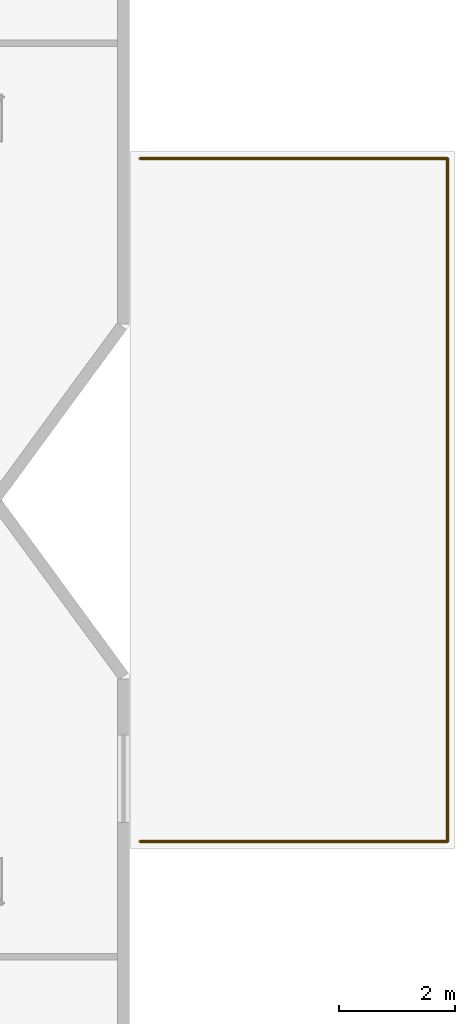
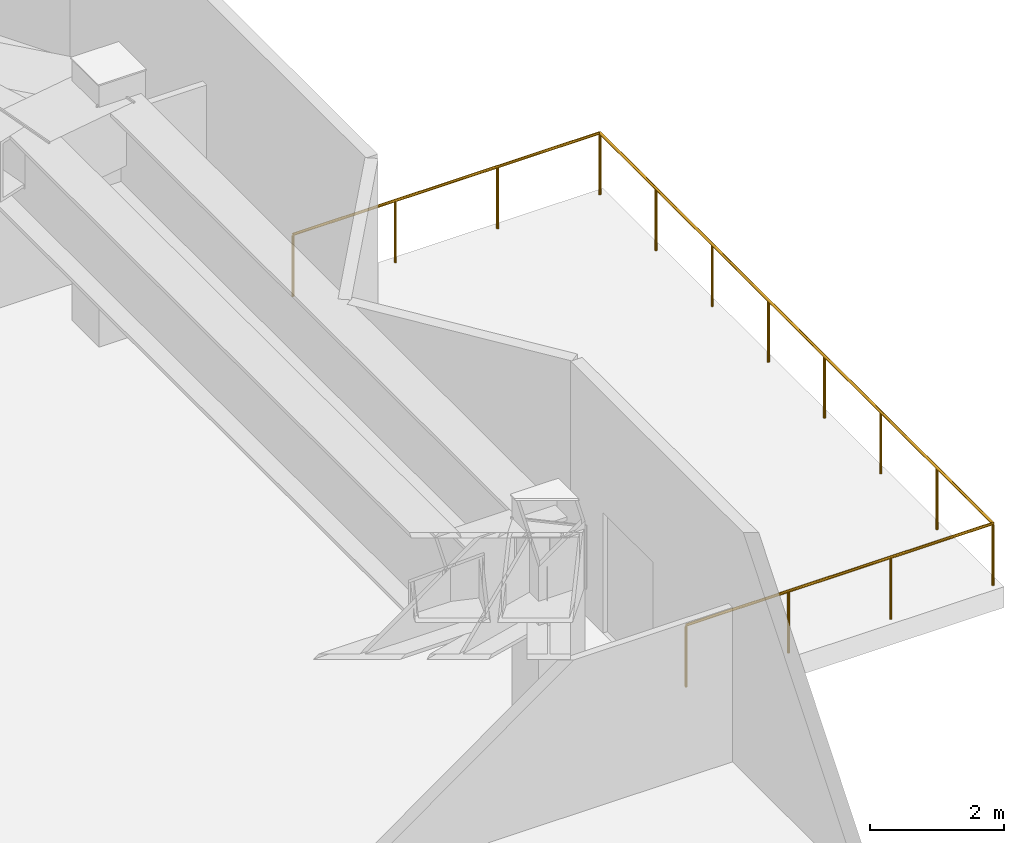
# One storey, part 11 of 11: 1 railing.
"""IFC4 building model written with IfcOpenShell, lengths in metres."""

from ifc_helpers import new_model, si_unit, direction, frame, origin, origin_2d, place, context, subcontext, project, spatial, circle, extrude, material, type_object, element, save


model = new_model("IFC4")

# Units and contexts
model_context = context("Model", 3, precision=1e-05, world=origin(), true_north=direction((0.0, 1.0)))
body_context = subcontext(model_context, "Body", "Model", "MODEL_VIEW")
ifc_project = project(units=[si_unit("LENGTHUNIT", "METRE"), si_unit("AREAUNIT", "SQUARE_METRE"), si_unit("VOLUMEUNIT", "CUBIC_METRE"), si_unit("PLANEANGLEUNIT", "RADIAN"), si_unit("MASSUNIT", "GRAM", prefix="KILO")], contexts=[model_context])

# Site, building, storey
site_placement = place(None, origin())
site = spatial("IfcSite", under=ifc_project, at=site_placement, CompositionType="ELEMENT")
building_placement = place(site_placement, origin())
building = spatial("IfcBuilding", under=site, at=building_placement, Name="Khamvora Tower", CompositionType="ELEMENT")
storey_placement = place(building_placement, frame((0.0, 0.0, 264.64990234375)))
storey = spatial("IfcBuildingStorey", under=building, at=storey_placement, Name="L68", CompositionType="ELEMENT", Elevation=264.64990234375)

# Railing
ifc_material = material(Name="Laminated Structural Safety Glass and Stainless Steel", Category="steel")
railing_type = type_object("IfcRailingType", Name="RAL-POOL-1150", PredefinedType="BALUSTRADE", material=ifc_material)
railing_placement = place(storey_placement, frame((69.97998046875, 22.1201171875, 0.0)))
element("IfcRailing", 1, at=railing_placement, inside=storey, type_object=railing_type, Name="L68 cantilevered sky-pool glass balustrade", PredefinedType="BALUSTRADE", context=body_context, shape_type="SweptSolid", body=[
    extrude(circle(Radius=0.02392578125, at=origin_2d()), frame((0.0, 0.0, 1.1259765625), z_axis=(1.0, 0.0, 0.0), x_axis=(0.0, 1.0, 0.0)), (0.0, 0.0, 1.0), 5.300048828125),
    extrude(circle(Radius=0.02392578125, at=origin_2d()), frame((5.300048828125, 0.0, 1.1259765625), z_axis=(0.0, 1.0, 0.0), x_axis=(-1.0, 0.0, 0.0)), (0.0, 0.0, 1.0), 11.759765625),
    extrude(circle(Radius=0.02392578125, at=origin_2d()), frame((5.300048828125, 11.759765625, 1.1259765625), z_axis=(-1.0, 0.0, 0.0), x_axis=(0.0, -1.0, 0.0)), (0.0, 0.0, 1.0), 5.300048828125),
    extrude(circle(Radius=0.02099609375, at=origin_2d()), origin(), (0.0, 0.0, 1.0), 1.101806640625),
    extrude(circle(Radius=0.02099609375, at=origin_2d()), frame((1.7666015625, 0.0, 0.0)), (0.0, 0.0, 1.0), 1.101806640625),
    extrude(circle(Radius=0.02099609375, at=origin_2d()), frame((3.533447265625, 0.0, 0.0)), (0.0, 0.0, 1.0), 1.101806640625),
    extrude(circle(Radius=0.02099609375, at=origin_2d()), frame((5.300048828125, 0.0, 0.0)), (0.0, 0.0, 1.0), 1.101806640625),
    extrude(circle(Radius=0.02099609375, at=origin_2d()), frame((5.300048828125, 1.679931640625, 0.0)), (0.0, 0.0, 1.0), 1.101806640625),
    extrude(circle(Radius=0.02099609375, at=origin_2d()), frame((5.300048828125, 3.35986328125, 0.0)), (0.0, 0.0, 1.0), 1.101806640625),
    extrude(circle(Radius=0.02099609375, at=origin_2d()), frame((5.300048828125, 5.039794921875, 0.0)), (0.0, 0.0, 1.0), 1.101806640625),
    extrude(circle(Radius=0.02099609375, at=origin_2d()), frame((5.300048828125, 6.719970703125, 0.0)), (0.0, 0.0, 1.0), 1.101806640625),
    extrude(circle(Radius=0.02099609375, at=origin_2d()), frame((5.300048828125, 8.39990234375, 0.0)), (0.0, 0.0, 1.0), 1.101806640625),
    extrude(circle(Radius=0.02099609375, at=origin_2d()), frame((5.300048828125, 10.079833984375, 0.0)), (0.0, 0.0, 1.0), 1.101806640625),
    extrude(circle(Radius=0.02099609375, at=origin_2d()), frame((5.300048828125, 11.759765625, 0.0)), (0.0, 0.0, 1.0), 1.101806640625),
    extrude(circle(Radius=0.02099609375, at=origin_2d()), frame((3.533447265625, 11.759765625, 0.0)), (0.0, 0.0, 1.0), 1.101806640625),
    extrude(circle(Radius=0.02099609375, at=origin_2d()), frame((1.7666015625, 11.759765625, 0.0)), (0.0, 0.0, 1.0), 1.101806640625),
    extrude(circle(Radius=0.02099609375, at=origin_2d()), frame((0.0, 11.759765625, 0.0)), (0.0, 0.0, 1.0), 1.101806640625),
])

save(model, "model.ifc")
